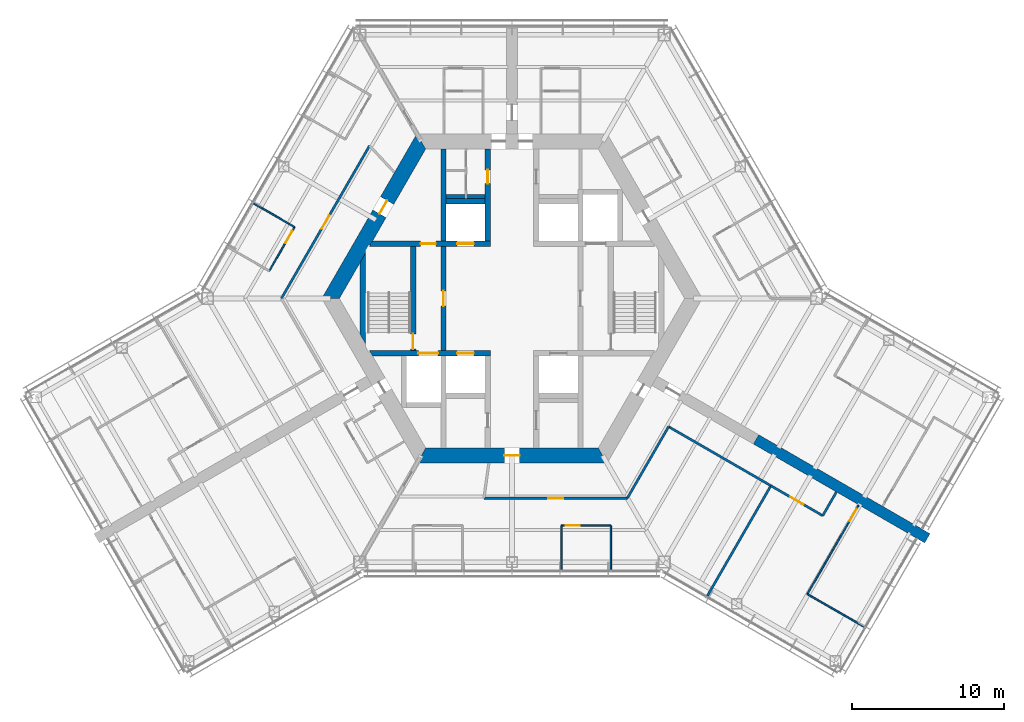
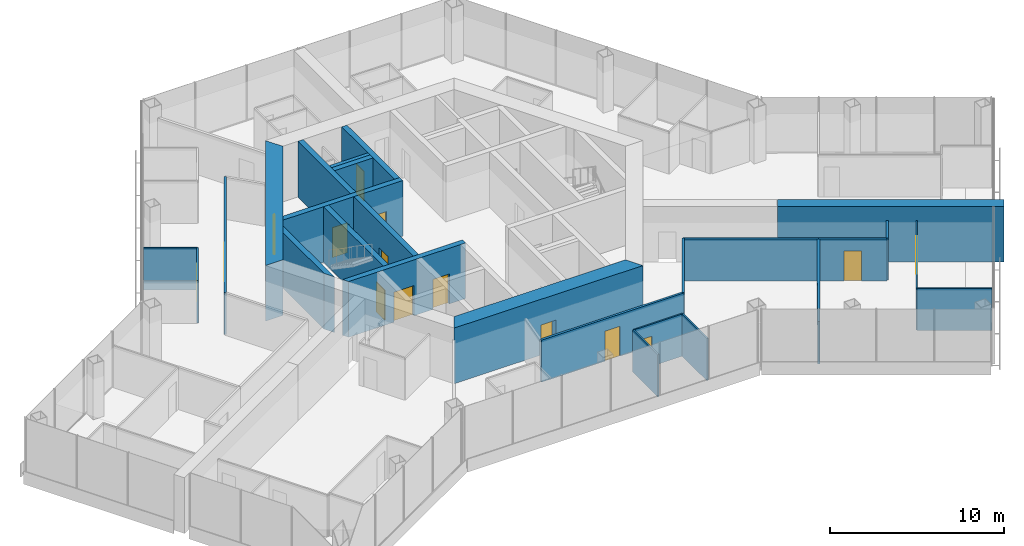
# One storey, part 13 of 18: 26 walls, 15 doors, 15 openings.
"""IFC4 building model written with IfcOpenShell, lengths in metres."""

from ifc_helpers import new_model, si_unit, direction, frame, frame_2d, origin, place, context, subcontext, project, spatial, polyline, rectangle, outline, extrude, material, layer, layer_set, type_object, element, fill, save


model = new_model("IFC4")

# Units and contexts
model_context = context("Model", 3, precision=1e-05, world=origin(), true_north=direction((0.0, 1.0)))
body_context = subcontext(model_context, "Body", "Model", "MODEL_VIEW")
ifc_project = project(units=[si_unit("LENGTHUNIT", "METRE"), si_unit("AREAUNIT", "SQUARE_METRE"), si_unit("VOLUMEUNIT", "CUBIC_METRE"), si_unit("PLANEANGLEUNIT", "RADIAN"), si_unit("MASSUNIT", "GRAM", prefix="KILO")], contexts=[model_context])

# Site, building, storey
site_placement = place(None, origin())
site = spatial("IfcSite", under=ifc_project, at=site_placement, CompositionType="ELEMENT")
building_placement = place(site_placement, origin())
building = spatial("IfcBuilding", under=site, at=building_placement, Name="Kasaneha Research Tower", CompositionType="ELEMENT")
storey_placement = place(building_placement, frame((0.0, 0.0, 183.800048828125)))
storey = spatial("IfcBuildingStorey", under=building, at=storey_placement, Name="L46", CompositionType="ELEMENT", Elevation=183.800048828125)

# Wall, openings, doors
ifc_material_1 = material(Name="Concrete Fc70", Category="concrete")
ifc_layer_1 = layer(ifc_material_1, 0.35009765625)
ifc_layer_set_1 = layer_set([ifc_layer_1], Name="Core internal wall 350 Fc70")
wall_type_1 = type_object("IfcWallType", Name="Core internal wall 350 Fc70", PredefinedType="SHEAR", material=ifc_layer_set_1)
wall_1_placement = place(storey_placement, frame((-9.266357421875, 3.60009765625, 0.0), z_axis=(0.0, 0.0, 1.0), x_axis=(1.0, 0.0, 0.0)))
wall_1 = element("IfcWall", 1, at=wall_1_placement, inside=storey, type_object=wall_type_1, Name="Core wall W1W L46", PredefinedType="SHEAR", context=body_context, shape_type="SweptSolid", body=[
    extrude(outline(polyline([(-0.10107421875, -0.175048828125), (3.266357421875, -0.175048828125), (4.266357421875, -0.175048828125), (5.66650390625, -0.175048828125), (6.7666015625, -0.175048828125), (7.84130859375, -0.175048828125), (7.84130859375, 0.175048828125), (6.7666015625, 0.175048828125), (5.66650390625, 0.175048828125), (4.266357421875, 0.175048828125), (3.266357421875, 0.175048828125), (0.10107421875, 0.175048828125), (-0.10107421875, -0.175048828125)])), origin(), (0.0, 0.0, 1.0), 3.89990234375),
])
opening_1_placement = place(wall_1_placement, frame((3.266357421875, 0.0, 0.0)))
opening_1 = element("IfcOpeningElement", 2, at=opening_1_placement, cuts=wall_1, Name="Opening L46-D12", PredefinedType="OPENING", context=body_context, shape_type="SweptSolid", body=[
    extrude(rectangle(XDim=1.0, YDim=2.10009765625, at=frame_2d((0.5, 1.050048828125))), frame((0.0, 0.18505859375, 0.0), z_axis=(0.0, -1.0, 0.0), x_axis=(1.0, 0.0, 0.0)), (0.0, 0.0, 1.0), 0.3701171875),
])
opening_2_placement = place(wall_1_placement, frame((5.66650390625, 0.0, 0.0)))
opening_2 = element("IfcOpeningElement", 3, at=opening_2_placement, cuts=wall_1, Name="Opening LD-LM1-L46", PredefinedType="OPENING", context=body_context, shape_type="SweptSolid", body=[
    extrude(rectangle(XDim=1.10009765625, YDim=2.10009765625, at=frame_2d((0.550048828125, 1.050048828125))), frame((0.0, 0.18505859375, 0.0), z_axis=(0.0, -1.0, 0.0), x_axis=(1.0, 0.0, 0.0)), (0.0, 0.0, 1.0), 0.3701171875),
])
ifc_material_2 = material(Name="Steel", Category="steel")
door_type_1 = type_object("IfcDoorType", Name="Lift landing door 1100x2100", OperationType="DOUBLE_DOOR_SLIDING", PredefinedType="DOOR", material=ifc_material_2)
door_1_placement = place(opening_2_placement, origin())
door_1 = element("IfcDoor", 4, at=door_1_placement, inside=storey, type_object=door_type_1, Name="Landing door LM1 LD-LM1-L46", OperationType="DOUBLE_DOOR_SLIDING", OverallHeight=2.10009765625, OverallWidth=1.10009765625, PredefinedType="DOOR", context=body_context, shape_type="SweptSolid", body=[
    extrude(rectangle(XDim=1.10009765625, YDim=2.10009765625, at=frame_2d((0.550048828125, 1.050048828125))), frame((0.0, 0.02490234375, 0.0), z_axis=(0.0, -1.0, 0.0), x_axis=(1.0, 0.0, 0.0)), (0.0, 0.0, 1.0), 0.050048828125),
])
fill(opening_2, door_1)
ifc_material_3 = material(Name="Steel", Category="steel")
door_type_2 = type_object("IfcDoorType", Name="Specified fire door FD60 1000x2100", OperationType="NOTDEFINED", PredefinedType="DOOR", material=ifc_material_3)
door_2_placement = place(opening_1_placement, origin())
door_2 = element("IfcDoor", 5, at=door_2_placement, inside=storey, type_object=door_type_2, Name="Vestibule to lobby door L46-D12", OperationType="SINGLE_SWING_LEFT", OverallHeight=2.10009765625, OverallWidth=1.0, PredefinedType="DOOR", context=body_context, shape_type="SweptSolid", body=[
    extrude(rectangle(XDim=1.0, YDim=2.10009765625, at=frame_2d((0.5, 1.050048828125))), frame((0.0, 0.02490234375, 0.0), z_axis=(0.0, -1.0, 0.0), x_axis=(1.0, 0.0, 0.0)), (0.0, 0.0, 1.0), 0.050048828125),
])
fill(opening_1, door_2)

wall_2_placement = place(storey_placement, frame((-9.266357421875, -3.60009765625, 0.0), z_axis=(0.0, 0.0, 1.0), x_axis=(1.0, 0.0, 0.0)))
wall_2 = element("IfcWall", 6, at=wall_2_placement, inside=storey, type_object=wall_type_1, Name="Core wall W2W L46", PredefinedType="SHEAR", context=body_context, shape_type="SweptSolid", body=[
    extrude(outline(polyline([(0.10107421875, -0.175048828125), (3.116455078125, -0.175048828125), (4.41650390625, -0.175048828125), (5.66650390625, -0.175048828125), (6.7666015625, -0.175048828125), (7.84130859375, -0.175048828125), (7.84130859375, 0.175048828125), (6.7666015625, 0.175048828125), (5.66650390625, 0.175048828125), (4.41650390625, 0.175048828125), (3.116455078125, 0.175048828125), (-0.10107421875, 0.175048828125), (0.10107421875, -0.175048828125)])), origin(), (0.0, 0.0, 1.0), 3.89990234375),
])
opening_3_placement = place(wall_2_placement, frame((5.66650390625, 0.0, 0.0)))
opening_3 = element("IfcOpeningElement", 7, at=opening_3_placement, cuts=wall_2, Name="Opening LD-LM3-L46", PredefinedType="OPENING", context=body_context, shape_type="SweptSolid", body=[
    extrude(rectangle(XDim=1.10009765625, YDim=2.10009765625, at=frame_2d((0.550048828125, 1.050048828125))), frame((0.0, 0.18505859375, 0.0), z_axis=(0.0, -1.0, 0.0), x_axis=(1.0, 0.0, 0.0)), (0.0, 0.0, 1.0), 0.3701171875),
])
opening_4_placement = place(wall_2_placement, frame((3.116455078125, 0.0, 0.0)))
opening_4 = element("IfcOpeningElement", 8, at=opening_4_placement, cuts=wall_2, Name="Opening LD-FL2-L46", PredefinedType="OPENING", context=body_context, shape_type="SweptSolid", body=[
    extrude(rectangle(XDim=1.300048828125, YDim=2.10009765625, at=frame_2d((0.64990234375, 1.050048828125))), frame((0.0, 0.18505859375, 0.0), z_axis=(0.0, -1.0, 0.0), x_axis=(1.0, 0.0, 0.0)), (0.0, 0.0, 1.0), 0.3701171875),
])
door_3_placement = place(opening_3_placement, origin())
door_3 = element("IfcDoor", 9, at=door_3_placement, inside=storey, type_object=door_type_1, Name="Landing door LM3 LD-LM3-L46", OperationType="DOUBLE_DOOR_SLIDING", OverallHeight=2.10009765625, OverallWidth=1.10009765625, PredefinedType="DOOR", context=body_context, shape_type="SweptSolid", body=[
    extrude(rectangle(XDim=1.10009765625, YDim=2.10009765625, at=frame_2d((0.550048828125, 1.050048828125))), frame((0.0, 0.02490234375, 0.0), z_axis=(0.0, -1.0, 0.0), x_axis=(1.0, 0.0, 0.0)), (0.0, 0.0, 1.0), 0.050048828125),
])
fill(opening_3, door_3)
ifc_material_4 = material(Name="Steel", Category="steel")
door_type_3 = type_object("IfcDoorType", Name="Lift landing door 1300x2100", OperationType="DOUBLE_DOOR_SLIDING", PredefinedType="DOOR", material=ifc_material_4)
door_4_placement = place(opening_4_placement, origin())
door_4 = element("IfcDoor", 10, at=door_4_placement, inside=storey, type_object=door_type_3, Name="Landing door FL2 LD-FL2-L46", OperationType="DOUBLE_DOOR_SLIDING", OverallHeight=2.10009765625, OverallWidth=1.300048828125, PredefinedType="DOOR", context=body_context, shape_type="SweptSolid", body=[
    extrude(rectangle(XDim=1.300048828125, YDim=2.10009765625, at=frame_2d((0.64990234375, 1.050048828125))), frame((0.0, 0.02490234375, 0.0), z_axis=(0.0, -1.0, 0.0), x_axis=(1.0, 0.0, 0.0)), (0.0, 0.0, 1.0), 0.050048828125),
])
fill(opening_4, door_4)

# Wall, opening, door
wall_3_placement = place(storey_placement, frame((-1.60009765625, 3.77490234375, 0.0), z_axis=(0.0, 0.0, 1.0), x_axis=(0.0, 1.0, 0.0)))
wall_3 = element("IfcWall", 11, at=wall_3_placement, inside=storey, type_object=wall_type_1, Name="Core wall CNW L46", PredefinedType="SHEAR", context=body_context, shape_type="SweptSolid", body=[
    extrude(rectangle(XDim=6.050048828125, YDim=0.35009765625, at=frame_2d((3.02490234375, 0.0))), origin(), (0.0, 0.0, 1.0), 3.89990234375),
])
opening_5_placement = place(wall_3_placement, frame((3.77490234375, 0.0, 0.0)))
opening_5 = element("IfcOpeningElement", 12, at=opening_5_placement, cuts=wall_3, Name="Opening L46-D13", PredefinedType="OPENING", context=body_context, shape_type="SweptSolid", body=[
    extrude(rectangle(XDim=0.89990234375, YDim=2.10009765625, at=frame_2d((0.449951171875, 1.050048828125))), frame((0.0, 0.18505859375, 0.0), z_axis=(0.0, -1.0, 0.0), x_axis=(1.0, 0.0, 0.0)), (0.0, 0.0, 1.0), 0.3701171875),
])
ifc_material_5 = material(Name="Steel", Category="steel")
door_type_4 = type_object("IfcDoorType", Name="Toilet door FD20 900x2100", OperationType="NOTDEFINED", PredefinedType="DOOR", material=ifc_material_5)
door_5_placement = place(opening_5_placement, origin())
door_5 = element("IfcDoor", 13, at=door_5_placement, inside=storey, type_object=door_type_4, Name="Men's WC door L46-D13", OperationType="SINGLE_SWING_LEFT", OverallHeight=2.10009765625, OverallWidth=0.89990234375, PredefinedType="DOOR", context=body_context, shape_type="SweptSolid", body=[
    extrude(rectangle(XDim=0.89990234375, YDim=2.10009765625, at=frame_2d((0.449951171875, 1.050048828125))), frame((0.0, 0.02490234375, 0.0), z_axis=(0.0, -1.0, 0.0), x_axis=(1.0, 0.0, 0.0)), (0.0, 0.0, 1.0), 0.050048828125),
])
fill(opening_5, door_5)

wall_4_placement = place(storey_placement, frame((-4.5, -3.425048828125, 0.0), z_axis=(0.0, 0.0, 1.0), x_axis=(0.0, 1.0, 0.0)))
wall_4 = element("IfcWall", 14, at=wall_4_placement, inside=storey, type_object=wall_type_1, Name="Core wall LBW L46", PredefinedType="SHEAR", context=body_context, shape_type="SweptSolid", body=[
    extrude(rectangle(XDim=6.85009765625, YDim=0.35009765625, at=frame_2d((3.425048828125, 0.0))), origin(), (0.0, 0.0, 1.0), 3.89990234375),
])
opening_6_placement = place(wall_4_placement, frame((2.925048828125, 0.0, 0.0)))
opening_6 = element("IfcOpeningElement", 15, at=opening_6_placement, cuts=wall_4, Name="Opening L46-D09", PredefinedType="OPENING", context=body_context, shape_type="SweptSolid", body=[
    extrude(rectangle(XDim=1.0, YDim=2.10009765625, at=frame_2d((0.5, 1.050048828125))), frame((0.0, 0.18505859375, 0.0), z_axis=(0.0, -1.0, 0.0), x_axis=(1.0, 0.0, 0.0)), (0.0, 0.0, 1.0), 0.3701171875),
])
door_6_placement = place(opening_6_placement, origin())
door_6 = element("IfcDoor", 16, at=door_6_placement, inside=storey, type_object=door_type_2, Name="Lift lobby door west L46-D09", OperationType="SINGLE_SWING_LEFT", OverallHeight=2.10009765625, OverallWidth=1.0, PredefinedType="DOOR", context=body_context, shape_type="SweptSolid", body=[
    extrude(rectangle(XDim=1.0, YDim=2.10009765625, at=frame_2d((0.5, 1.050048828125))), frame((0.0, 0.02490234375, 0.0), z_axis=(0.0, -1.0, 0.0), x_axis=(1.0, 0.0, 0.0)), (0.0, 0.0, 1.0), 0.050048828125),
])
fill(opening_6, door_6)

wall_5_placement = place(storey_placement, frame((-6.5, -3.425048828125, 0.0), z_axis=(0.0, 0.0, 1.0), x_axis=(0.0, 1.0, 0.0)))
wall_5 = element("IfcWall", 17, at=wall_5_placement, inside=storey, type_object=wall_type_1, Name="Core wall ANW L46", PredefinedType="SHEAR", context=body_context, shape_type="SweptSolid", body=[
    extrude(rectangle(XDim=6.85009765625, YDim=0.35009765625, at=frame_2d((3.425048828125, 0.0))), origin(), (0.0, 0.0, 1.0), 3.89990234375),
])
opening_7_placement = place(wall_5_placement, frame((0.10009765625, 0.0, 0.0)))
opening_7 = element("IfcOpeningElement", 18, at=opening_7_placement, cuts=wall_5, Name="Opening L46-D11", PredefinedType="OPENING", context=body_context, shape_type="SweptSolid", body=[
    extrude(rectangle(XDim=1.0, YDim=2.10009765625, at=frame_2d((0.5, 1.050048828125))), frame((0.0, 0.18505859375, 0.0), z_axis=(0.0, -1.0, 0.0), x_axis=(1.0, 0.0, 0.0)), (0.0, 0.0, 1.0), 0.3701171875),
])
door_7_placement = place(opening_7_placement, origin())
door_7 = element("IfcDoor", 19, at=door_7_placement, inside=storey, type_object=door_type_2, Name="Stair 2 door L46-D11", OperationType="SINGLE_SWING_LEFT", OverallHeight=2.10009765625, OverallWidth=1.0, PredefinedType="DOOR", context=body_context, shape_type="SweptSolid", body=[
    extrude(rectangle(XDim=1.0, YDim=2.10009765625, at=frame_2d((0.5, 1.050048828125))), frame((0.0, 0.02490234375, 0.0), z_axis=(0.0, -1.0, 0.0), x_axis=(1.0, 0.0, 0.0)), (0.0, 0.0, 1.0), 0.050048828125),
])
fill(opening_7, door_7)

# Walls
wall_6_placement = place(storey_placement, frame((-4.5, 3.77490234375, 0.0), z_axis=(0.0, 0.0, 1.0), x_axis=(0.0, 1.0, 0.0)))
element("IfcWall", 20, at=wall_6_placement, inside=storey, type_object=wall_type_1, Name="Core wall VNW L46", PredefinedType="SHEAR", context=body_context, shape_type="SweptSolid", body=[
    extrude(rectangle(XDim=6.050048828125, YDim=0.35009765625, at=frame_2d((3.02490234375, 0.0))), origin(), (0.0, 0.0, 1.0), 3.89990234375),
])
wall_7_placement = place(storey_placement, frame((-4.324951171875, 6.39990234375, 0.0), z_axis=(0.0, 0.0, 1.0), x_axis=(1.0, 0.0, 0.0)))
element("IfcWall", 21, at=wall_7_placement, inside=storey, type_object=wall_type_1, Name="Core wall N1N L46", PredefinedType="SHEAR", context=body_context, shape_type="SweptSolid", body=[
    extrude(rectangle(XDim=2.550048828125, YDim=0.35009765625, at=frame_2d((1.27490234375, 0.0))), origin(), (0.0, 0.0, 1.0), 3.89990234375),
])
wall_8_placement = place(storey_placement, frame((-9.807861328125, -2.662353515625, 0.0), z_axis=(0.0, 0.0, 1.0), x_axis=(0.0, 1.0, 0.0)))
element("IfcWall", 22, at=wall_8_placement, inside=storey, type_object=wall_type_1, Name="Core wall STW L46", PredefinedType="SHEAR", context=body_context, shape_type="SweptSolid", body=[
    extrude(outline(polyline([(-0.30322265625, -0.175048828125), (5.6279296875, -0.175048828125), (5.021484375, 0.175048828125), (0.30322265625, 0.175048828125), (-0.30322265625, -0.175048828125)])), origin(), (0.0, 0.0, 1.0), 3.89990234375),
])

# Wall, opening, door
ifc_material_6 = material(Name="Concrete Fc70", Category="concrete")
ifc_layer_2 = layer(ifc_material_6, 1.0)
ifc_layer_set_2 = layer_set([ifc_layer_2], Name="Core wall 1000 Fc70")
wall_type_2 = type_object("IfcWallType", Name="Core wall 1000 Fc70", PredefinedType="SHEAR", material=ifc_layer_set_2)
wall_9_placement = place(storey_placement, frame((-5.961181640625, 10.324951171875, 0.0), z_axis=(0.0, 0.0, 1.0), x_axis=(-0.500004296715, -0.866022923061, 0.0)))
wall_9 = element("IfcWall", 23, at=wall_9_placement, inside=storey, type_object=wall_type_2, Name="Core wall 150 L46", PredefinedType="SHEAR", context=body_context, shape_type="SweptSolid", body=[
    extrude(outline(polyline([(-0.28857421875, -0.5), (4.494140625, -0.5), (5.494140625, -0.5), (12.2109375, -0.5), (11.6337890625, 0.5), (5.494140625, 0.5), (4.494140625, 0.5), (0.28857421875, 0.5), (-0.28857421875, -0.5)])), origin(), (0.0, 0.0, 1.0), 3.89990234375),
])
opening_8_placement = place(wall_9_placement, frame((4.494140625, 0.0, 0.0)))
opening_8 = element("IfcOpeningElement", 24, at=opening_8_placement, cuts=wall_9, Name="Opening L46-D07", PredefinedType="OPENING", context=body_context, shape_type="SweptSolid", body=[
    extrude(rectangle(XDim=1.0, YDim=2.10009765625, at=frame_2d((0.5, 1.050048828125))), frame((0.0, 0.510009765625, 0.0), z_axis=(0.0, -1.0, 0.0), x_axis=(1.0, 0.0, 0.0)), (0.0, 0.0, 1.0), 1.02001953125),
])
ifc_material_7 = material(Name="Steel", Category="steel")
door_type_5 = type_object("IfcDoorType", Name="Fire door FD20 1000x2100", OperationType="NOTDEFINED", PredefinedType="DOOR", material=ifc_material_7)
door_8_placement = place(opening_8_placement, origin())
door_8 = element("IfcDoor", 25, at=door_8_placement, inside=storey, type_object=door_type_5, Name="Vestibule door L46-D07", OperationType="SINGLE_SWING_LEFT", OverallHeight=2.10009765625, OverallWidth=1.0, PredefinedType="DOOR", context=body_context, shape_type="SweptSolid", body=[
    extrude(rectangle(XDim=1.0, YDim=2.10009765625, at=frame_2d((0.5, 1.050048828125))), frame((0.0, 0.02490234375, 0.0), z_axis=(0.0, -1.0, 0.0), x_axis=(1.0, 0.0, 0.0)), (0.0, 0.0, 1.0), 0.050048828125),
])
fill(opening_8, door_8)

wall_10_placement = place(storey_placement, frame((-5.961181640625, -10.324951171875, 0.0), z_axis=(0.0, 0.0, 1.0), x_axis=(1.0, 0.0, 0.0)))
wall_10 = element("IfcWall", 26, at=wall_10_placement, inside=storey, type_object=wall_type_2, Name="Core wall 270 L46", PredefinedType="SHEAR", context=body_context, shape_type="SweptSolid", body=[
    extrude(outline(polyline([(-0.28857421875, -0.5), (5.461181640625, -0.5), (6.461181640625, -0.5), (12.2109375, -0.5), (11.6337890625, 0.5), (6.461181640625, 0.5), (5.461181640625, 0.5), (0.28857421875, 0.5), (-0.28857421875, -0.5)])), origin(), (0.0, 0.0, 1.0), 3.89990234375),
])
opening_9_placement = place(wall_10_placement, frame((5.461181640625, 0.0, 0.0)))
opening_9 = element("IfcOpeningElement", 27, at=opening_9_placement, cuts=wall_10, Name="Opening L46-D03", PredefinedType="OPENING", context=body_context, shape_type="SweptSolid", body=[
    extrude(rectangle(XDim=1.0, YDim=2.10009765625, at=frame_2d((0.5, 1.050048828125))), frame((0.0, 0.510009765625, 0.0), z_axis=(0.0, -1.0, 0.0), x_axis=(1.0, 0.0, 0.0)), (0.0, 0.0, 1.0), 1.02001953125),
])
door_9_placement = place(opening_9_placement, origin())
door_9 = element("IfcDoor", 28, at=door_9_placement, inside=storey, type_object=door_type_5, Name="Core door south L46-D03", OperationType="SINGLE_SWING_LEFT", OverallHeight=2.10009765625, OverallWidth=1.0, PredefinedType="DOOR", context=body_context, shape_type="SweptSolid", body=[
    extrude(rectangle(XDim=1.0, YDim=2.10009765625, at=frame_2d((0.5, 1.050048828125))), frame((0.0, 0.02490234375, 0.0), z_axis=(0.0, -1.0, 0.0), x_axis=(1.0, 0.0, 0.0)), (0.0, 0.0, 1.0), 0.050048828125),
])
fill(opening_9, door_9)

# Wall
ifc_material_8 = material(Name="Gypsum board on steel studs, one layer each side", Category="steel")
ifc_layer_3 = layer(ifc_material_8, 0.10009765625)
ifc_layer_set_3 = layer_set([ifc_layer_3], Name="Office partition 100")
wall_type_3 = type_object("IfcWallType", Name="Office partition 100", PredefinedType="PARTITIONING", material=ifc_layer_set_3)
wall_11_placement = place(storey_placement, frame((-16.97607421875, 6.247802734375, 0.0), z_axis=(0.0, 0.0, 1.0), x_axis=(0.866023220135, -0.500003782172, 0.0)))
element("IfcWall", 29, at=wall_11_placement, inside=storey, type_object=wall_type_3, Name="Office partition FBN15 L46", PredefinedType="PARTITIONING", context=body_context, shape_type="SweptSolid", body=[
    extrude(rectangle(XDim=3.10498046875, YDim=0.10009765625, at=frame_2d((1.552490234375, 0.0))), origin(), (0.0, 0.0, 1.0), 2.949951171875),
])

# Wall, opening, door
wall_12_placement = place(storey_placement, frame((-14.287109375, 4.6953125, 0.0), z_axis=(0.0, 0.0, 1.0), x_axis=(-0.499946633866, -0.866056212544, 0.0)))
wall_12 = element("IfcWall", 30, at=wall_12_placement, inside=storey, type_object=wall_type_3, Name="Office partition FBN17 L46", PredefinedType="PARTITIONING", context=body_context, shape_type="SweptSolid", body=[
    extrude(rectangle(XDim=3.330810546875, YDim=0.10009765625, at=frame_2d((1.66552734375, 0.0))), origin(), (0.0, 0.0, 1.0), 2.949951171875),
])
opening_10_placement = place(wall_12_placement, frame((0.300048828125, 0.0, 0.0)))
opening_10 = element("IfcOpeningElement", 31, at=opening_10_placement, cuts=wall_12, Name="Opening L46-D36", PredefinedType="OPENING", context=body_context, shape_type="SweptSolid", body=[
    extrude(rectangle(XDim=0.89990234375, YDim=2.10009765625, at=frame_2d((0.449951171875, 1.050048828125))), frame((0.0, 0.06005859375, 0.0), z_axis=(0.0, -1.0, 0.0), x_axis=(1.0, 0.0, 0.0)), (0.0, 0.0, 1.0), 0.1201171875),
])
ifc_material_9 = material(Name="Timber veneer", Category="wood")
door_type_6 = type_object("IfcDoorType", Name="Office door 900x2100", OperationType="SINGLE_SWING_LEFT", PredefinedType="DOOR", material=ifc_material_9)
door_10_placement = place(opening_10_placement, origin())
door_10 = element("IfcDoor", 32, at=door_10_placement, inside=storey, type_object=door_type_6, Name="Project room door L46-D36", OperationType="SINGLE_SWING_LEFT", OverallHeight=2.10009765625, OverallWidth=0.89990234375, PredefinedType="DOOR", context=body_context, shape_type="SweptSolid", body=[
    extrude(rectangle(XDim=0.89990234375, YDim=2.10009765625, at=frame_2d((0.449951171875, 1.050048828125))), frame((0.0, 0.02490234375, 0.0), z_axis=(0.0, -1.0, 0.0), x_axis=(1.0, 0.0, 0.0)), (0.0, 0.0, 1.0), 0.050048828125),
])
fill(opening_10, door_10)

# Wall
wall_13_placement = place(storey_placement, frame((3.246337890625, -17.800537109375, 0.0), z_axis=(0.0, 0.0, 1.0), x_axis=(0.0, 1.0, 0.0)))
element("IfcWall", 33, at=wall_13_placement, inside=storey, type_object=wall_type_3, Name="Office partition FCS07 L46", PredefinedType="PARTITIONING", context=body_context, shape_type="SweptSolid", body=[
    extrude(rectangle(XDim=2.880126953125, YDim=0.10009765625, at=frame_2d((1.43994140625, 0.0))), origin(), (0.0, 0.0, 1.0), 2.949951171875),
])

# Wall, opening, door
wall_14_placement = place(storey_placement, frame((3.246337890625, -14.92041015625, 0.0), z_axis=(0.0, 0.0, 1.0), x_axis=(1.0, 0.0, 0.0)))
wall_14 = element("IfcWall", 34, at=wall_14_placement, inside=storey, type_object=wall_type_3, Name="Office partition FCS08 L46", PredefinedType="PARTITIONING", context=body_context, shape_type="SweptSolid", body=[
    extrude(rectangle(XDim=3.24658203125, YDim=0.10009765625, at=frame_2d((1.623291015625, 0.0))), origin(), (0.0, 0.0, 1.0), 2.949951171875),
])
opening_11_placement = place(wall_14_placement, frame((0.300048828125, 0.0, 0.0)))
opening_11 = element("IfcOpeningElement", 35, at=opening_11_placement, cuts=wall_14, Name="Opening L46-D45", PredefinedType="OPENING", context=body_context, shape_type="SweptSolid", body=[
    extrude(rectangle(XDim=0.89990234375, YDim=2.10009765625, at=frame_2d((0.449951171875, 1.050048828125))), frame((0.0, 0.06005859375, 0.0), z_axis=(0.0, -1.0, 0.0), x_axis=(1.0, 0.0, 0.0)), (0.0, 0.0, 1.0), 0.1201171875),
])
door_11_placement = place(opening_11_placement, origin())
door_11 = element("IfcDoor", 36, at=door_11_placement, inside=storey, type_object=door_type_6, Name="Manager's office door L46-D45", OperationType="SINGLE_SWING_LEFT", OverallHeight=2.10009765625, OverallWidth=0.89990234375, PredefinedType="DOOR", context=body_context, shape_type="SweptSolid", body=[
    extrude(rectangle(XDim=0.89990234375, YDim=2.10009765625, at=frame_2d((0.449951171875, 1.050048828125))), frame((0.0, 0.02490234375, 0.0), z_axis=(0.0, -1.0, 0.0), x_axis=(1.0, 0.0, 0.0)), (0.0, 0.0, 1.0), 0.050048828125),
])
fill(opening_11, door_11)

# Wall
wall_15_placement = place(storey_placement, frame((6.492919921875, -14.92041015625, 0.0), z_axis=(0.0, 0.0, 1.0), x_axis=(0.0, -1.0, 0.0)))
element("IfcWall", 37, at=wall_15_placement, inside=storey, type_object=wall_type_3, Name="Office partition FCS09 L46", PredefinedType="PARTITIONING", context=body_context, shape_type="SweptSolid", body=[
    extrude(rectangle(XDim=2.880126953125, YDim=0.10009765625, at=frame_2d((1.43994140625, 0.0))), origin(), (0.0, 0.0, 1.0), 2.949951171875),
])

# Wall, opening, door
wall_16_placement = place(storey_placement, frame((19.4091796875, -19.423583984375, 0.0), z_axis=(0.0, 0.0, 1.0), x_axis=(0.499996020086, 0.866027701577, 0.0)))
wall_16 = element("IfcWall", 38, at=wall_16_placement, inside=storey, type_object=wall_type_3, Name="Office partition FCS13 L46", PredefinedType="PARTITIONING", context=body_context, shape_type="SweptSolid", body=[
    extrude(rectangle(XDim=6.74658203125, YDim=0.10009765625, at=frame_2d((3.373291015625, 0.0))), origin(), (0.0, 0.0, 1.0), 2.949951171875),
])
opening_12_placement = place(wall_16_placement, frame((5.546630859375, 0.0, 0.0)))
opening_12 = element("IfcOpeningElement", 39, at=opening_12_placement, cuts=wall_16, Name="Opening L46-D47", PredefinedType="OPENING", context=body_context, shape_type="SweptSolid", body=[
    extrude(rectangle(XDim=0.89990234375, YDim=2.10009765625, at=frame_2d((0.449951171875, 1.050048828125))), frame((0.0, 0.06005859375, 0.0), z_axis=(0.0, -1.0, 0.0), x_axis=(1.0, 0.0, 0.0)), (0.0, 0.0, 1.0), 0.1201171875),
])
door_12_placement = place(opening_12_placement, origin())
door_12 = element("IfcDoor", 40, at=door_12_placement, inside=storey, type_object=door_type_6, Name="Meeting room door L46-D47", OperationType="SINGLE_SWING_RIGHT", OverallHeight=2.10009765625, OverallWidth=0.89990234375, PredefinedType="DOOR", context=body_context, shape_type="SweptSolid", body=[
    extrude(rectangle(XDim=0.89990234375, YDim=2.10009765625, at=frame_2d((0.449951171875, 1.050048828125))), frame((0.0, 0.02490234375, 0.0), z_axis=(0.0, -1.0, 0.0), x_axis=(1.0, 0.0, 0.0)), (0.0, 0.0, 1.0), 0.050048828125),
])
fill(opening_12, door_12)

# Walls
wall_17_placement = place(storey_placement, frame((23.137451171875, -21.575927734375, 0.0), z_axis=(0.0, 0.0, 1.0), x_axis=(-0.866042984989, 0.499969547224, 0.0)))
element("IfcWall", 41, at=wall_17_placement, inside=storey, type_object=wall_type_3, Name="Office partition FCS14 L46", PredefinedType="PARTITIONING", context=body_context, shape_type="SweptSolid", body=[
    extrude(rectangle(XDim=4.304931640625, YDim=0.10009765625, at=frame_2d((2.15234375, 0.0))), origin(), (0.0, 0.0, 1.0), 2.949951171875),
])
ifc_material_10 = material(Name="Concrete Fc70", Category="concrete")
ifc_layer_4 = layer(ifc_material_10, 0.699951171875)
ifc_layer_set_4 = layer_set([ifc_layer_4], Name="Spine wall 700 Fc70")
wall_type_4 = type_object("IfcWallType", Name="Spine wall 700 Fc70", PredefinedType="SHEAR", material=ifc_layer_set_4)
wall_18_placement = place(storey_placement, frame((16.039306640625, -9.26025390625, 0.0), z_axis=(0.0, 0.0, 1.0), x_axis=(0.866024837091, -0.50000098154, 0.0)))
element("IfcWall", 42, at=wall_18_placement, inside=storey, type_object=wall_type_4, Name="Spine wall C wing L46", PredefinedType="SHEAR", context=body_context, shape_type="SweptSolid", body=[
    extrude(rectangle(XDim=13.0, YDim=0.699951171875, at=frame_2d((6.5, 0.0))), origin(), (0.0, 0.0, 1.0), 3.89990234375),
])

# Wall, opening, door
ifc_material_11 = material(Name="Gypsum board on steel studs, two layers each side", Category="steel")
ifc_layer_5 = layer(ifc_material_11, 0.14990234375)
ifc_layer_set_5 = layer_set([ifc_layer_5], Name="Suite partition 150")
wall_type_5 = type_object("IfcWallType", Name="Suite partition 150", PredefinedType="PARTITIONING", material=ifc_layer_set_5)
wall_19_placement = place(storey_placement, frame((-15.155517578125, 0.0, 0.0), z_axis=(0.0, 0.0, 1.0), x_axis=(0.500012970505, 0.86601791513, 0.0)))
wall_19 = element("IfcWall", 43, at=wall_19_placement, inside=storey, type_object=wall_type_5, Name="Suite partition FBN02 L46", PredefinedType="PARTITIONING", context=body_context, shape_type="SweptSolid", body=[
    extrude(rectangle(XDim=11.590576171875, YDim=0.14990234375, at=frame_2d((5.79541015625, 0.0))), origin(), (0.0, 0.0, 1.0), 2.949951171875),
])
opening_13_placement = place(wall_19_placement, frame((5.295166015625, 0.0, 0.0)))
opening_13 = element("IfcOpeningElement", 44, at=opening_13_placement, cuts=wall_19, Name="Opening L46-D31", PredefinedType="OPENING", context=body_context, shape_type="SweptSolid", body=[
    extrude(rectangle(XDim=1.0, YDim=2.10009765625, at=frame_2d((0.5, 1.050048828125))), frame((0.0, 0.0849609375, 0.0), z_axis=(0.0, -1.0, 0.0), x_axis=(1.0, 0.0, 0.0)), (0.0, 0.0, 1.0), 0.169921875),
])
ifc_material_12 = material(Name="Steel", Category="steel")
door_type_7 = type_object("IfcDoorType", Name="Suite entrance door FD60 1000x2100", OperationType="NOTDEFINED", PredefinedType="DOOR", material=ifc_material_12)
door_13_placement = place(opening_13_placement, origin())
door_13 = element("IfcDoor", 45, at=door_13_placement, inside=storey, type_object=door_type_7, Name="Suite entrance door L46-D31", OperationType="SINGLE_SWING_RIGHT", OverallHeight=2.10009765625, OverallWidth=1.0, PredefinedType="DOOR", context=body_context, shape_type="SweptSolid", body=[
    extrude(rectangle(XDim=1.0, YDim=2.10009765625, at=frame_2d((0.5, 1.050048828125))), frame((0.0, 0.02490234375, 0.0), z_axis=(0.0, -1.0, 0.0), x_axis=(1.0, 0.0, 0.0)), (0.0, 0.0, 1.0), 0.050048828125),
])
fill(opening_13, door_13)

wall_20_placement = place(storey_placement, frame((7.57763671875, -13.125, 0.0), z_axis=(0.0, 0.0, 1.0), x_axis=(-1.0, 0.0, 0.0)))
wall_20 = element("IfcWall", 46, at=wall_20_placement, inside=storey, type_object=wall_type_5, Name="Suite partition FCS02 L46", PredefinedType="PARTITIONING", context=body_context, shape_type="SweptSolid", body=[
    extrude(rectangle(XDim=9.422119140625, YDim=0.14990234375, at=frame_2d((4.7109375, 0.0))), origin(), (0.0, 0.0, 1.0), 2.949951171875),
])
opening_14_placement = place(wall_20_placement, frame((4.211181640625, 0.0, 0.0)))
opening_14 = element("IfcOpeningElement", 47, at=opening_14_placement, cuts=wall_20, Name="Opening L46-D43", PredefinedType="OPENING", context=body_context, shape_type="SweptSolid", body=[
    extrude(rectangle(XDim=1.0, YDim=2.10009765625, at=frame_2d((0.5, 1.050048828125))), frame((0.0, 0.0849609375, 0.0), z_axis=(0.0, -1.0, 0.0), x_axis=(1.0, 0.0, 0.0)), (0.0, 0.0, 1.0), 0.169921875),
])
door_14_placement = place(opening_14_placement, origin())
door_14 = element("IfcDoor", 48, at=door_14_placement, inside=storey, type_object=door_type_7, Name="Suite entrance door L46-D43", OperationType="SINGLE_SWING_LEFT", OverallHeight=2.10009765625, OverallWidth=1.0, PredefinedType="DOOR", context=body_context, shape_type="SweptSolid", body=[
    extrude(rectangle(XDim=1.0, YDim=2.10009765625, at=frame_2d((0.5, 1.050048828125))), frame((0.0, 0.02490234375, 0.0), z_axis=(0.0, -1.0, 0.0), x_axis=(1.0, 0.0, 0.0)), (0.0, 0.0, 1.0), 0.050048828125),
])
fill(opening_14, door_14)

# Walls
wall_21_placement = place(storey_placement, frame((10.29150390625, -8.424560546875, 0.0), z_axis=(0.0, 0.0, 1.0), x_axis=(-0.500009286329, -0.866020042254, 0.0)))
element("IfcWall", 49, at=wall_21_placement, inside=storey, type_object=wall_type_5, Name="Suite partition FCS03 L46", PredefinedType="PARTITIONING", context=body_context, shape_type="SweptSolid", body=[
    extrude(rectangle(XDim=5.427734375, YDim=0.14990234375, at=frame_2d((2.7138671875, 0.0))), origin(), (0.0, 0.0, 1.0), 2.949951171875),
])
wall_22_placement = place(storey_placement, frame((17.021484375, -12.31005859375, 0.0), z_axis=(0.0, 0.0, 1.0), x_axis=(-0.866028634939, 0.499994403434, 0.0)))
element("IfcWall", 50, at=wall_22_placement, inside=storey, type_object=wall_type_5, Name="Suite partition FCS04 L46", PredefinedType="PARTITIONING", context=body_context, shape_type="SweptSolid", body=[
    extrude(rectangle(XDim=7.77099609375, YDim=0.14990234375, at=frame_2d((3.885498046875, 0.0))), origin(), (0.0, 0.0, 1.0), 2.949951171875),
])

# Wall, opening, door
wall_23_placement = place(storey_placement, frame((20.420166015625, -14.272216796875, 0.0), z_axis=(0.0, 0.0, 1.0), x_axis=(-0.866011978186, 0.500023253097, 0.0)))
wall_23 = element("IfcWall", 51, at=wall_23_placement, inside=storey, type_object=wall_type_5, Name="Suite partition FCS05 L46", PredefinedType="PARTITIONING", context=body_context, shape_type="SweptSolid", body=[
    extrude(rectangle(XDim=3.934326171875, YDim=0.14990234375, at=frame_2d((1.96728515625, 0.0))), origin(), (0.0, 0.0, 1.0), 2.949951171875),
])
opening_15_placement = place(wall_23_placement, frame((1.46728515625, 0.0, 0.0)))
opening_15 = element("IfcOpeningElement", 52, at=opening_15_placement, cuts=wall_23, Name="Opening L46-D44", PredefinedType="OPENING", context=body_context, shape_type="SweptSolid", body=[
    extrude(rectangle(XDim=1.0, YDim=2.10009765625, at=frame_2d((0.5, 1.050048828125))), frame((0.0, 0.0849609375, 0.0), z_axis=(0.0, -1.0, 0.0), x_axis=(1.0, 0.0, 0.0)), (0.0, 0.0, 1.0), 0.169921875),
])
door_15_placement = place(opening_15_placement, origin())
door_15 = element("IfcDoor", 53, at=door_15_placement, inside=storey, type_object=door_type_7, Name="Suite entrance door L46-D44", OperationType="SINGLE_SWING_RIGHT", OverallHeight=2.10009765625, OverallWidth=1.0, PredefinedType="DOOR", context=body_context, shape_type="SweptSolid", body=[
    extrude(rectangle(XDim=1.0, YDim=2.10009765625, at=frame_2d((0.5, 1.050048828125))), frame((0.0, 0.02490234375, 0.0), z_axis=(0.0, -1.0, 0.0), x_axis=(1.0, 0.0, 0.0)), (0.0, 0.0, 1.0), 0.050048828125),
])
fill(opening_15, door_15)

# Walls
wall_24_placement = place(storey_placement, frame((21.310302734375, -12.730712890625, 0.0), z_axis=(0.0, 0.0, 1.0), x_axis=(-0.500062787734, -0.865989150234, 0.0)))
element("IfcWall", 54, at=wall_24_placement, inside=storey, type_object=wall_type_5, Name="Suite partition FCS06 L46", PredefinedType="PARTITIONING", context=body_context, shape_type="SweptSolid", body=[
    extrude(rectangle(XDim=1.780029296875, YDim=0.14990234375, at=frame_2d((0.89013671875, 0.0))), origin(), (0.0, 0.0, 1.0), 2.949951171875),
])
wall_25_placement = place(storey_placement, frame((17.0126953125, -12.305419921875, 0.0), z_axis=(0.0, 0.0, 1.0), x_axis=(-0.499493070184, -0.866317882096, 0.0)))
element("IfcWall", 55, at=wall_25_placement, inside=storey, type_object=wall_type_5, Name="Suite partition FCS15 L46", PredefinedType="PARTITIONING", context=body_context, shape_type="SweptSolid", body=[
    extrude(rectangle(XDim=8.354736328125, YDim=0.14990234375, at=frame_2d((4.17724609375, 0.0))), origin(), (0.0, 0.0, 1.0), 2.949951171875),
])
ifc_material_13 = material(Name="Concrete block lining", Category="concrete")
ifc_layer_6 = layer(ifc_material_13, 0.25)
ifc_layer_set_6 = layer_set([ifc_layer_6], Name="WC plumbing wall 250")
wall_type_6 = type_object("IfcWallType", Name="WC plumbing wall 250", PredefinedType="PLUMBINGWALL", material=ifc_layer_set_6)
wall_26_placement = place(storey_placement, frame((-4.324951171875, 6.699951171875, 0.0), z_axis=(0.0, 0.0, 1.0), x_axis=(1.0, 0.0, 0.0)))
element("IfcWall", 56, at=wall_26_placement, inside=storey, type_object=wall_type_6, Name="WC plumbing wall M L46", PredefinedType="PLUMBINGWALL", context=body_context, shape_type="SweptSolid", body=[
    extrude(rectangle(XDim=2.550048828125, YDim=0.25, at=frame_2d((1.27490234375, 0.0))), origin(), (0.0, 0.0, 1.0), 3.89990234375),
])

save(model, "model.ifc")
